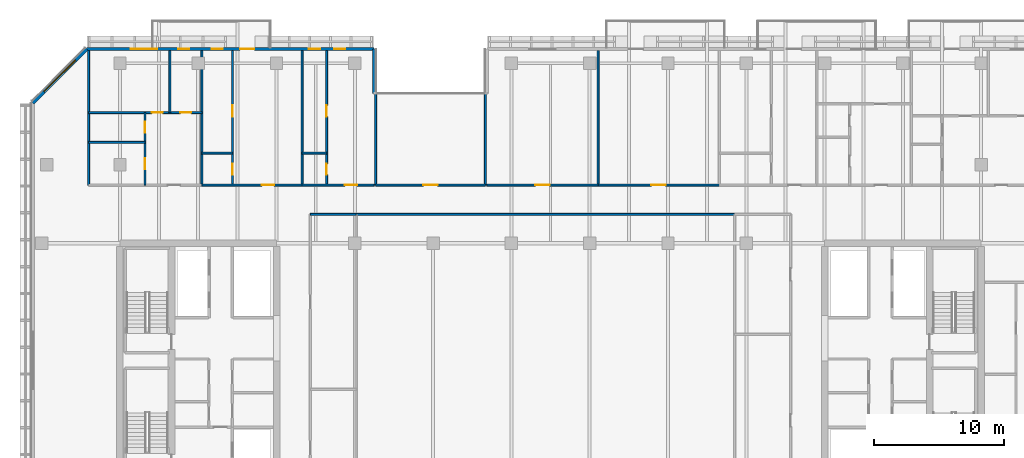
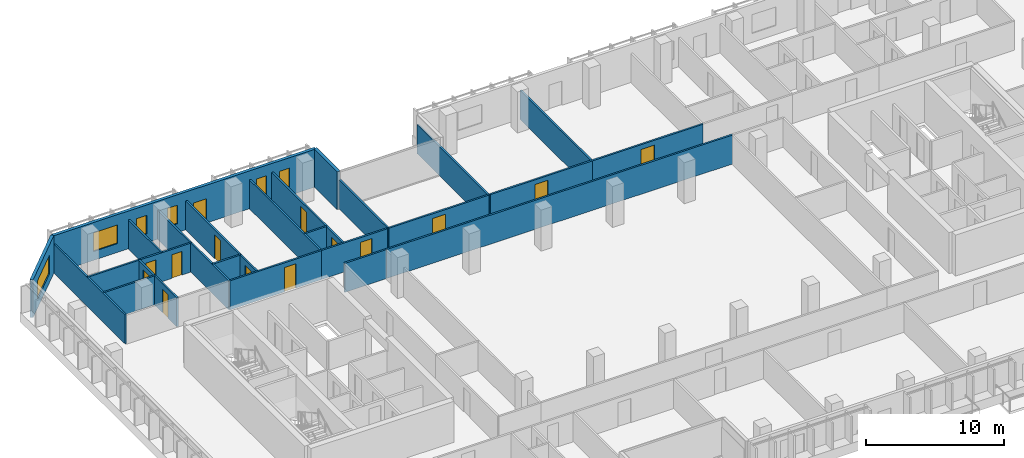
# One storey, part 13 of 23: 24 walls, 14 doors, 6 windows, 20 openings.
"""IFC4 building model written with IfcOpenShell, lengths in metres."""

from ifc_helpers import new_model, si_unit, direction, frame, frame_2d, origin, place, context, subcontext, project, spatial, rectangle, extrude, material, layer, layer_set, type_object, element, fill, save


model = new_model("IFC4")

# Units and contexts
model_context = context("Model", 3, precision=1e-05, world=origin(), true_north=direction((0.0, 1.0)))
body_context = subcontext(model_context, "Body", "Model", "MODEL_VIEW")
ifc_project = project(units=[si_unit("LENGTHUNIT", "METRE"), si_unit("AREAUNIT", "SQUARE_METRE"), si_unit("VOLUMEUNIT", "CUBIC_METRE"), si_unit("PLANEANGLEUNIT", "RADIAN"), si_unit("MASSUNIT", "GRAM", prefix="KILO")], contexts=[model_context])

# Site, building, storey
site_placement = place(None, origin())
site = spatial("IfcSite", under=ifc_project, at=site_placement, CompositionType="ELEMENT")
building_placement = place(site_placement, origin())
building = spatial("IfcBuilding", under=site, at=building_placement, Name="Tanjung Sevakor Pilgrim Tower", CompositionType="ELEMENT")
storey_placement = place(building_placement, frame((0.0, 0.0, 119.4599609375)))
storey = spatial("IfcBuildingStorey", under=building, at=storey_placement, Name="L33", CompositionType="ELEMENT", Elevation=119.4599609375)

# Walls
ifc_material_1 = material(Name="Concrete C40/50", Category="concrete")
ifc_layer_1 = layer(ifc_material_1, 0.14990234375)
ifc_layer_set_1 = layer_set([ifc_layer_1], Name="WT-COMP-150")
wall_type_1 = type_object("IfcWallType", Name="WT-COMP-150", PredefinedType="SOLIDWALL", material=ifc_layer_set_1)
wall_1_placement = place(storey_placement, frame((38.60009765625, 44.800048828125, 0.0), z_axis=(0.0, 0.0, 1.0), x_axis=(1.0, 0.0, 0.0)))
element("IfcWall", 1, at=wall_1_placement, inside=storey, type_object=wall_type_1, Name="L33 Partition IW-L33-028", PredefinedType="SOLIDWALL", context=body_context, shape_type="SweptSolid", body=[
    extrude(rectangle(XDim=3.5, YDim=0.14990234375, at=frame_2d((1.75, 0.0))), origin(), (0.0, 0.0, 1.0), 2.570068359375),
])
wall_2_placement = place(storey_placement, frame((42.10009765625, 44.800048828125, 0.0), z_axis=(0.0, 0.0, 1.0), x_axis=(1.0, 0.0, 0.0)))
element("IfcWall", 2, at=wall_2_placement, inside=storey, type_object=wall_type_1, Name="L33 Partition IW-L33-031", PredefinedType="SOLIDWALL", context=body_context, shape_type="SweptSolid", body=[
    extrude(rectangle(XDim=29.0, YDim=0.14990234375, at=frame_2d((14.5, 0.0))), origin(), (0.0, 0.0, 1.0), 2.570068359375),
])

# Wall, opening, door
wall_3_placement = place(storey_placement, frame((43.60009765625, 47.050048828125, 0.0), z_axis=(0.0, 0.0, 1.0), x_axis=(1.0, 0.0, 0.0)))
wall_3 = element("IfcWall", 3, at=wall_3_placement, inside=storey, type_object=wall_type_1, Name="L33 Partition IW-L33-050", PredefinedType="SOLIDWALL", context=body_context, shape_type="SweptSolid", body=[
    extrude(rectangle(XDim=8.39990234375, YDim=0.14990234375, at=frame_2d((4.199951171875, 0.0))), origin(), (0.0, 0.0, 1.0), 2.570068359375),
])
opening_1_placement = place(wall_3_placement, frame((3.64990234375, 0.0, 0.0)))
opening_1 = element("IfcOpeningElement", 4, at=opening_1_placement, cuts=wall_3, Name="Opening ID-RM2", PredefinedType="OPENING", context=body_context, shape_type="SweptSolid", body=[
    extrude(rectangle(XDim=1.10009765625, YDim=2.14990234375, at=frame_2d((0.550048828125, 1.074951171875))), frame((0.0, 0.0849609375, 0.0), z_axis=(0.0, -1.0, 0.0), x_axis=(1.0, 0.0, 0.0)), (0.0, 0.0, 1.0), 0.169921875),
])
ifc_material_2 = material(Name="Hardwood Timber", Category="wood")
door_type_1 = type_object("IfcDoorType", Name="DT-INT-1100", OperationType="NOTDEFINED", PredefinedType="DOOR", material=ifc_material_2)
door_1_placement = place(opening_1_placement, origin())
door_1 = element("IfcDoor", 5, at=door_1_placement, inside=storey, type_object=door_type_1, Name="L33 North Cleft Prayer Room Door", OperationType="SINGLE_SWING_LEFT", OverallHeight=2.14990234375, OverallWidth=1.10009765625, PredefinedType="DOOR", context=body_context, shape_type="SweptSolid", body=[
    extrude(rectangle(XDim=1.10009765625, YDim=2.14990234375, at=frame_2d((0.550048828125, 1.074951171875))), frame((0.0, 0.02490234375, 0.0), z_axis=(0.0, -1.0, 0.0), x_axis=(1.0, 0.0, 0.0)), (0.0, 0.0, 1.0), 0.050048828125),
])
fill(opening_1, door_1)

# Walls
for number, where, z_axis, x_axis, name in (
    (6, (43.60009765625, 47.050048828125, 0.0), (0.0, 0.0, 1.0), (0.0, 1.0, 0.0), "L33 Partition IW-L33-051"),
    (7, (52.0, 47.050048828125, 0.0), (0.0, 0.0, 1.0), (0.0, 1.0, 0.0), "L33 Partition IW-L33-052"),
    (8, (21.60009765625, 47.050048828125, 0.0), (0.0, 0.0, 1.0), (0.0, 1.0, 0.0), "L33 Partition IW-L33-073"),
    (9, (30.273193359375, 47.050048828125, 0.0), (0.0, 0.0, 1.0), (0.0, 1.0, 0.0), "L33 Partition IW-L33-074"),
    (10, (37.960693359375, 47.050048828125, 0.0), (0.0, 0.0, 1.0), (0.0, 1.0, 0.0), "L33 Partition IW-L33-080"),
):
    element("IfcWall", number, at=place(storey_placement, frame(where, z_axis=z_axis, x_axis=x_axis)), inside=storey, type_object=wall_type_1, Name=name, PredefinedType="SOLIDWALL", context=body_context, shape_type="SweptSolid", body=[
        extrude(rectangle(XDim=10.300048828125, YDim=0.14990234375, at=frame_2d((5.14990234375, 0.0))), origin(), (0.0, 0.0, 1.0), 2.570068359375),
    ])

# Wall, opening, door
wall_4_placement = place(storey_placement, frame((30.273193359375, 47.050048828125, 0.0), z_axis=(0.0, 0.0, 1.0), x_axis=(1.0, 0.0, 0.0)))
wall_4 = element("IfcWall", 11, at=wall_4_placement, inside=storey, type_object=wall_type_1, Name="L33 Partition IW-L33-083", PredefinedType="SOLIDWALL", context=body_context, shape_type="SweptSolid", body=[
    extrude(rectangle(XDim=7.6875, YDim=0.14990234375, at=frame_2d((3.84375, 0.0))), origin(), (0.0, 0.0, 1.0), 2.570068359375),
])
opening_2_placement = place(wall_4_placement, frame((4.583740234375, 0.0, 0.0)))
opening_2 = element("IfcOpeningElement", 12, at=opening_2_placement, cuts=wall_4, Name="Opening ID-FD2", PredefinedType="OPENING", context=body_context, shape_type="SweptSolid", body=[
    extrude(rectangle(XDim=0.949951171875, YDim=2.14990234375, at=frame_2d((0.47509765625, 1.074951171875))), frame((0.0, 0.0849609375, 0.0), z_axis=(0.0, -1.0, 0.0), x_axis=(1.0, 0.0, 0.0)), (0.0, 0.0, 1.0), 0.169921875),
])
ifc_material_3 = material(Name="Fire-Rated Timber", Category="wood")
door_type_2 = type_object("IfcDoorType", Name="DT-FIRE-950", OperationType="NOTDEFINED", PredefinedType="DOOR", material=ifc_material_3)
door_2_placement = place(opening_2_placement, origin())
door_2 = element("IfcDoor", 13, at=door_2_placement, inside=storey, type_object=door_type_2, Name="Hostel Quad Entrance", OperationType="SINGLE_SWING_RIGHT", OverallHeight=2.14990234375, OverallWidth=0.949951171875, PredefinedType="DOOR", context=body_context, shape_type="SweptSolid", body=[
    extrude(rectangle(XDim=0.949951171875, YDim=2.14990234375, at=frame_2d((0.47509765625, 1.074951171875))), frame((0.0, 0.02490234375, 0.0), z_axis=(0.0, -1.0, 0.0), x_axis=(1.0, 0.0, 0.0)), (0.0, 0.0, 1.0), 0.050048828125),
])
fill(opening_2, door_2)

wall_5_placement = place(storey_placement, frame((37.960693359375, 47.050048828125, 0.0), z_axis=(0.0, 0.0, 1.0), x_axis=(1.0, 0.0, 0.0)))
wall_5 = element("IfcWall", 14, at=wall_5_placement, inside=storey, type_object=wall_type_1, Name="L33 Partition IW-L33-086", PredefinedType="SOLIDWALL", context=body_context, shape_type="SweptSolid", body=[
    extrude(rectangle(XDim=5.519287109375, YDim=0.14990234375, at=frame_2d((2.759765625, 0.0))), origin(), (0.0, 0.0, 1.0), 2.570068359375),
])
opening_3_placement = place(wall_5_placement, frame((3.2626953125, 0.0, 0.0)))
opening_3 = element("IfcOpeningElement", 15, at=opening_3_placement, cuts=wall_5, Name="Opening ID-FD2", PredefinedType="OPENING", context=body_context, shape_type="SweptSolid", body=[
    extrude(rectangle(XDim=0.949951171875, YDim=2.14990234375, at=frame_2d((0.47509765625, 1.074951171875))), frame((0.0, 0.0849609375, 0.0), z_axis=(0.0, -1.0, 0.0), x_axis=(1.0, 0.0, 0.0)), (0.0, 0.0, 1.0), 0.169921875),
])
door_3_placement = place(opening_3_placement, origin())
door_3 = element("IfcDoor", 16, at=door_3_placement, inside=storey, type_object=door_type_2, Name="Hostel Quad Entrance", OperationType="SINGLE_SWING_LEFT", OverallHeight=2.14990234375, OverallWidth=0.949951171875, PredefinedType="DOOR", context=body_context, shape_type="SweptSolid", body=[
    extrude(rectangle(XDim=0.949951171875, YDim=2.14990234375, at=frame_2d((0.47509765625, 1.074951171875))), frame((0.0, 0.02490234375, 0.0), z_axis=(0.0, -1.0, 0.0), x_axis=(1.0, 0.0, 0.0)), (0.0, 0.0, 1.0), 0.050048828125),
])
fill(opening_3, door_3)

# Wall
wall_6_placement = place(storey_placement, frame((60.637939453125, 47.050048828125, 0.0), z_axis=(0.0, 0.0, 1.0), x_axis=(0.0, 1.0, 0.0)))
element("IfcWall", 17, at=wall_6_placement, inside=storey, type_object=wall_type_1, Name="L33 Partition IW-L33-088", PredefinedType="SOLIDWALL", context=body_context, shape_type="SweptSolid", body=[
    extrude(rectangle(XDim=10.300048828125, YDim=0.14990234375, at=frame_2d((5.14990234375, 0.0))), origin(), (0.0, 0.0, 1.0), 2.570068359375),
])

# Wall, opening, door
wall_7_placement = place(storey_placement, frame((52.1201171875, 47.050048828125, 0.0), z_axis=(0.0, 0.0, 1.0), x_axis=(1.0, 0.0, 0.0)))
wall_7 = element("IfcWall", 18, at=wall_7_placement, inside=storey, type_object=wall_type_1, Name="L33 Partition IW-L33-089", PredefinedType="SOLIDWALL", context=body_context, shape_type="SweptSolid", body=[
    extrude(rectangle(XDim=8.517822265625, YDim=0.14990234375, at=frame_2d((4.2587890625, 0.0))), origin(), (0.0, 0.0, 1.0), 2.570068359375),
])
opening_4_placement = place(wall_7_placement, frame((3.708984375, 0.0, 0.0)))
opening_4 = element("IfcOpeningElement", 19, at=opening_4_placement, cuts=wall_7, Name="Opening ID-FD0", PredefinedType="OPENING", context=body_context, shape_type="SweptSolid", body=[
    extrude(rectangle(XDim=1.10009765625, YDim=2.14990234375, at=frame_2d((0.550048828125, 1.074951171875))), frame((0.0, 0.0849609375, 0.0), z_axis=(0.0, -1.0, 0.0), x_axis=(1.0, 0.0, 0.0)), (0.0, 0.0, 1.0), 0.169921875),
])
ifc_material_4 = material(Name="Fire-Rated Steel S355J2", Category="steel")
door_type_3 = type_object("IfcDoorType", Name="DT-FIRE-1100", OperationType="NOTDEFINED", PredefinedType="DOOR", material=ifc_material_4)
door_4_placement = place(opening_4_placement, origin())
door_4 = element("IfcDoor", 20, at=door_4_placement, inside=storey, type_object=door_type_3, Name="Council Room Door", OperationType="SINGLE_SWING_RIGHT", OverallHeight=2.14990234375, OverallWidth=1.10009765625, PredefinedType="DOOR", context=body_context, shape_type="SweptSolid", body=[
    extrude(rectangle(XDim=1.10009765625, YDim=2.14990234375, at=frame_2d((0.550048828125, 1.074951171875))), frame((0.0, 0.02490234375, 0.0), z_axis=(0.0, -1.0, 0.0), x_axis=(1.0, 0.0, 0.0)), (0.0, 0.0, 1.0), 0.050048828125),
])
fill(opening_4, door_4)

wall_8_placement = place(storey_placement, frame((60.637939453125, 47.050048828125, 0.0), z_axis=(0.0, 0.0, 1.0), x_axis=(1.0, 0.0, 0.0)))
wall_8 = element("IfcWall", 21, at=wall_8_placement, inside=storey, type_object=wall_type_1, Name="L33 Partition IW-L33-091", PredefinedType="SOLIDWALL", context=body_context, shape_type="SweptSolid", body=[
    extrude(rectangle(XDim=9.292236328125, YDim=0.14990234375, at=frame_2d((4.64599609375, 0.0))), origin(), (0.0, 0.0, 1.0), 2.570068359375),
])
opening_5_placement = place(wall_8_placement, frame((4.09619140625, 0.0, 0.0)))
opening_5 = element("IfcOpeningElement", 22, at=opening_5_placement, cuts=wall_8, Name="Opening ID-FD0", PredefinedType="OPENING", context=body_context, shape_type="SweptSolid", body=[
    extrude(rectangle(XDim=1.10009765625, YDim=2.14990234375, at=frame_2d((0.550048828125, 1.074951171875))), frame((0.0, 0.0849609375, 0.0), z_axis=(0.0, -1.0, 0.0), x_axis=(1.0, 0.0, 0.0)), (0.0, 0.0, 1.0), 0.169921875),
])
door_5_placement = place(opening_5_placement, origin())
door_5 = element("IfcDoor", 23, at=door_5_placement, inside=storey, type_object=door_type_3, Name="Council Room Door", OperationType="SINGLE_SWING_LEFT", OverallHeight=2.14990234375, OverallWidth=1.10009765625, PredefinedType="DOOR", context=body_context, shape_type="SweptSolid", body=[
    extrude(rectangle(XDim=1.10009765625, YDim=2.14990234375, at=frame_2d((0.550048828125, 1.074951171875))), frame((0.0, 0.02490234375, 0.0), z_axis=(0.0, -1.0, 0.0), x_axis=(1.0, 0.0, 0.0)), (0.0, 0.0, 1.0), 0.050048828125),
])
fill(opening_5, door_5)

# Wall
ifc_material_5 = material(Name="Precast concrete C45/55", Category="concrete")
ifc_layer_2 = layer(ifc_material_5, 0.25)
ifc_layer_set_2 = layer_set([ifc_layer_2], Name="WT-EW-STN3")
wall_type_2 = type_object("IfcWallType", Name="WT-EW-STN3", PredefinedType="SOLIDWALL", material=ifc_layer_set_2)
wall_9_placement = place(storey_placement, frame((43.47509765625, 54.074951171875, 0.0), z_axis=(0.0, 0.0, 1.0), x_axis=(0.0, 1.0, 0.0)))
element("IfcWall", 24, at=wall_9_placement, inside=storey, type_object=wall_type_2, Name="L33 MAIN Exterior Wall 12", PredefinedType="SOLIDWALL", context=body_context, shape_type="SweptSolid", body=[
    extrude(rectangle(XDim=3.400146484375, YDim=0.25, at=frame_2d((1.7001953125, 0.0))), origin(), (0.0, 0.0, 1.0), 3.35009765625),
])

# Wall, openings, door, windows
wall_10_placement = place(storey_placement, frame((43.47509765625, 57.47509765625, 0.0), z_axis=(0.0, 0.0, 1.0), x_axis=(-1.0, 0.0, 0.0)))
wall_10 = element("IfcWall", 25, at=wall_10_placement, inside=storey, type_object=wall_type_2, Name="L33 MAIN Exterior Wall 13", PredefinedType="SOLIDWALL", context=body_context, shape_type="SweptSolid", body=[
    extrude(rectangle(XDim=22.023193359375, YDim=0.25, at=frame_2d((11.01171875, 0.0))), origin(), (0.0, 0.0, 1.0), 3.35009765625),
])
opening_6_placement = place(wall_10_placement, frame((9.175048828125, 0.0, 0.0)))
opening_6 = element("IfcOpeningElement", 26, at=opening_6_placement, cuts=wall_10, Name="Opening ED-BAL-1100", PredefinedType="OPENING", context=body_context, shape_type="SweptSolid", body=[
    extrude(rectangle(XDim=1.10009765625, YDim=2.14990234375, at=frame_2d((0.550048828125, 1.074951171875))), frame((0.0, 0.135009765625, 0.0), z_axis=(0.0, -1.0, 0.0), x_axis=(1.0, 0.0, 0.0)), (0.0, 0.0, 1.0), 0.27001953125),
])
opening_7_placement = place(wall_10_placement, frame((16.635009765625, 0.0, 0.780029296875)))
opening_7 = element("IfcOpeningElement", 27, at=opening_7_placement, cuts=wall_10, Name="Opening WN-Z2-1660", PredefinedType="OPENING", context=body_context, shape_type="SweptSolid", body=[
    extrude(rectangle(XDim=2.0, YDim=1.659912109375, at=frame_2d((1.0, 0.830078125))), frame((0.0, 0.135009765625, 0.0), z_axis=(0.0, -1.0, 0.0), x_axis=(1.0, 0.0, 0.0)), (0.0, 0.0, 1.0), 0.27001953125),
])
opening_8_placement = place(wall_10_placement, frame((14.17333984375, 0.0, 0.780029296875)))
opening_8 = element("IfcOpeningElement", 28, at=opening_8_placement, cuts=wall_10, Name="Opening WN-SLM", PredefinedType="OPENING", context=body_context, shape_type="SweptSolid", body=[
    extrude(rectangle(XDim=0.85009765625, YDim=1.64990234375, at=frame_2d((0.425048828125, 0.824951171875))), frame((0.0, 0.135009765625, 0.0), z_axis=(0.0, -1.0, 0.0), x_axis=(1.0, 0.0, 0.0)), (0.0, 0.0, 1.0), 0.27001953125),
])
opening_9_placement = place(wall_10_placement, frame((11.591796875, 0.0, 0.780029296875)))
opening_9 = element("IfcOpeningElement", 29, at=opening_9_placement, cuts=wall_10, Name="Opening WN-SLM", PredefinedType="OPENING", context=body_context, shape_type="SweptSolid", body=[
    extrude(rectangle(XDim=0.85009765625, YDim=1.64990234375, at=frame_2d((0.425048828125, 0.824951171875))), frame((0.0, 0.135009765625, 0.0), z_axis=(0.0, -1.0, 0.0), x_axis=(1.0, 0.0, 0.0)), (0.0, 0.0, 1.0), 0.27001953125),
])
opening_10_placement = place(wall_10_placement, frame((4.14111328125, 0.0, 0.780029296875)))
opening_10 = element("IfcOpeningElement", 30, at=opening_10_placement, cuts=wall_10, Name="Opening WN-SLM", PredefinedType="OPENING", context=body_context, shape_type="SweptSolid", body=[
    extrude(rectangle(XDim=0.85009765625, YDim=1.64990234375, at=frame_2d((0.425048828125, 0.824951171875))), frame((0.0, 0.135009765625, 0.0), z_axis=(0.0, -1.0, 0.0), x_axis=(1.0, 0.0, 0.0)), (0.0, 0.0, 1.0), 0.27001953125),
])
opening_11_placement = place(wall_10_placement, frame((2.201416015625, 0.0, 0.780029296875)))
opening_11 = element("IfcOpeningElement", 31, at=opening_11_placement, cuts=wall_10, Name="Opening WN-SLM", PredefinedType="OPENING", context=body_context, shape_type="SweptSolid", body=[
    extrude(rectangle(XDim=0.85009765625, YDim=1.64990234375, at=frame_2d((0.425048828125, 0.824951171875))), frame((0.0, 0.135009765625, 0.0), z_axis=(0.0, -1.0, 0.0), x_axis=(1.0, 0.0, 0.0)), (0.0, 0.0, 1.0), 0.27001953125),
])
ifc_material_6 = material(Name="Anodised Aluminium and Laminated Glass", Category="aluminium")
door_type_4 = type_object("IfcDoorType", Name="DTYP-ED-BAL-1100", OperationType="NOTDEFINED", PredefinedType="DOOR", material=ifc_material_6)
door_6_placement = place(opening_6_placement, frame((1.10009765625, 0.0, 0.0), z_axis=(0.0, 0.0, 1.0), x_axis=(-1.0, 0.0, 0.0)))
door_6 = element("IfcDoor", 32, at=door_6_placement, inside=storey, type_object=door_type_4, Name="L33 Balcony Door MAIN-N1", OperationType="SINGLE_SWING_LEFT", OverallHeight=2.14990234375, OverallWidth=1.10009765625, PredefinedType="DOOR", context=body_context, shape_type="SweptSolid", body=[
    extrude(rectangle(XDim=1.10009765625, YDim=2.14990234375, at=frame_2d((0.550048828125, 1.074951171875))), frame((0.0, 0.02490234375, 0.0), z_axis=(0.0, -1.0, 0.0), x_axis=(1.0, 0.0, 0.0)), (0.0, 0.0, 1.0), 0.050048828125),
])
fill(opening_6, door_6)
ifc_material_7 = material(Name="Thermally Broken Aluminium and Low-E Glass", Category="aluminium")
window_type_1 = type_object("IfcWindowType", Name="WTYP-WN-SLM", PartitioningType="SINGLE_PANEL", PredefinedType="WINDOW", material=ifc_material_7)
window_1_placement = place(opening_8_placement, origin())
window_1 = element("IfcWindow", 33, at=window_1_placement, inside=storey, type_object=window_type_1, Name="L33 Facade Window 02", OverallHeight=1.64990234375, OverallWidth=0.85009765625, PartitioningType="SINGLE_PANEL", PredefinedType="WINDOW", context=body_context, shape_type="SweptSolid", body=[
    extrude(rectangle(XDim=0.85009765625, YDim=1.64990234375, at=frame_2d((0.425048828125, 0.824951171875))), frame((0.0, 0.030029296875, 0.0), z_axis=(0.0, -1.0, 0.0), x_axis=(1.0, 0.0, 0.0)), (0.0, 0.0, 1.0), 0.06005859375),
])
fill(opening_8, window_1)
window_2_placement = place(opening_9_placement, origin())
window_2 = element("IfcWindow", 34, at=window_2_placement, inside=storey, type_object=window_type_1, Name="L33 Facade Window 03", OverallHeight=1.64990234375, OverallWidth=0.85009765625, PartitioningType="SINGLE_PANEL", PredefinedType="WINDOW", context=body_context, shape_type="SweptSolid", body=[
    extrude(rectangle(XDim=0.85009765625, YDim=1.64990234375, at=frame_2d((0.425048828125, 0.824951171875))), frame((0.0, 0.030029296875, 0.0), z_axis=(0.0, -1.0, 0.0), x_axis=(1.0, 0.0, 0.0)), (0.0, 0.0, 1.0), 0.06005859375),
])
fill(opening_9, window_2)
window_3_placement = place(opening_10_placement, origin())
window_3 = element("IfcWindow", 35, at=window_3_placement, inside=storey, type_object=window_type_1, Name="L33 Facade Window 04", OverallHeight=1.64990234375, OverallWidth=0.85009765625, PartitioningType="SINGLE_PANEL", PredefinedType="WINDOW", context=body_context, shape_type="SweptSolid", body=[
    extrude(rectangle(XDim=0.85009765625, YDim=1.64990234375, at=frame_2d((0.425048828125, 0.824951171875))), frame((0.0, 0.030029296875, 0.0), z_axis=(0.0, -1.0, 0.0), x_axis=(1.0, 0.0, 0.0)), (0.0, 0.0, 1.0), 0.06005859375),
])
fill(opening_10, window_3)
window_4_placement = place(opening_11_placement, origin())
window_4 = element("IfcWindow", 36, at=window_4_placement, inside=storey, type_object=window_type_1, Name="L33 Facade Window 05", OverallHeight=1.64990234375, OverallWidth=0.85009765625, PartitioningType="SINGLE_PANEL", PredefinedType="WINDOW", context=body_context, shape_type="SweptSolid", body=[
    extrude(rectangle(XDim=0.85009765625, YDim=1.64990234375, at=frame_2d((0.425048828125, 0.824951171875))), frame((0.0, 0.030029296875, 0.0), z_axis=(0.0, -1.0, 0.0), x_axis=(1.0, 0.0, 0.0)), (0.0, 0.0, 1.0), 0.06005859375),
])
fill(opening_11, window_4)
ifc_material_8 = material(Name="Thermally Broken Aluminium and Low-E Glass", Category="aluminium")
window_type_2 = type_object("IfcWindowType", Name="WTYP-WN-Z2-1660", PartitioningType="DOUBLE_PANEL_VERTICAL", PredefinedType="WINDOW", material=ifc_material_8)
window_5_placement = place(opening_7_placement, origin())
window_5 = element("IfcWindow", 37, at=window_5_placement, inside=storey, type_object=window_type_2, Name="L33 Facade Window 01", OverallHeight=1.659912109375, OverallWidth=2.0, PartitioningType="SINGLE_PANEL", PredefinedType="WINDOW", context=body_context, shape_type="SweptSolid", body=[
    extrude(rectangle(XDim=2.0, YDim=1.659912109375, at=frame_2d((1.0, 0.830078125))), frame((0.0, 0.030029296875, 0.0), z_axis=(0.0, -1.0, 0.0), x_axis=(1.0, 0.0, 0.0)), (0.0, 0.0, 1.0), 0.06005859375),
])
fill(opening_7, window_5)

# Wall, opening, window
wall_11_placement = place(storey_placement, frame((21.451904296875, 57.47509765625, 0.0), z_axis=(0.0, 0.0, 1.0), x_axis=(-0.707106781187, -0.707106781187, 0.0)))
wall_11 = element("IfcWall", 38, at=wall_11_placement, inside=storey, type_object=wall_type_2, Name="L33 MAIN Sculpted Corner Wall 13", PredefinedType="SOLIDWALL", context=body_context, shape_type="SweptSolid", body=[
    extrude(rectangle(XDim=5.83642578125, YDim=0.25, at=frame_2d((2.918212890625, 0.0))), origin(), (0.0, 0.0, 1.0), 3.35009765625),
])
opening_12_placement = place(wall_11_placement, frame((1.218017578125, 0.0, 0.780029296875)))
opening_12 = element("IfcOpeningElement", 39, at=opening_12_placement, cuts=wall_11, Name="Opening WN-CHM-1660", PredefinedType="OPENING", context=body_context, shape_type="SweptSolid", body=[
    extrude(rectangle(XDim=3.39990234375, YDim=1.659912109375, at=frame_2d((1.699951171875, 0.830078125))), frame((0.0, 0.135009765625, 0.0), z_axis=(0.0, -1.0, 0.0), x_axis=(1.0, 0.0, 0.0)), (0.0, 0.0, 1.0), 0.27001953125),
])
ifc_material_9 = material(Name="Thermally Broken Aluminium and Low-E Glass", Category="aluminium")
window_type_3 = type_object("IfcWindowType", Name="WTYP-WN-CHM-1660", PartitioningType="DOUBLE_PANEL_VERTICAL", PredefinedType="WINDOW", material=ifc_material_9)
window_6_placement = place(opening_12_placement, origin())
window_6 = element("IfcWindow", 40, at=window_6_placement, inside=storey, type_object=window_type_3, Name="L33 Facade Window 01", OverallHeight=1.659912109375, OverallWidth=3.39990234375, PartitioningType="SINGLE_PANEL", PredefinedType="WINDOW", context=body_context, shape_type="SweptSolid", body=[
    extrude(rectangle(XDim=3.39990234375, YDim=1.659912109375, at=frame_2d((1.699951171875, 0.830078125))), frame((0.0, 0.030029296875, 0.0), z_axis=(0.0, -1.0, 0.0), x_axis=(1.0, 0.0, 0.0)), (0.0, 0.0, 1.0), 0.06005859375),
])
fill(opening_12, window_6)

# Wall
ifc_material_10 = material(Name="Gypsum Board Partition", Category="gypsum board")
ifc_layer_3 = layer(ifc_material_10, 0.14990234375)
ifc_layer_set_3 = layer_set([ifc_layer_3], Name="WT-PART-150")
wall_type_3 = type_object("IfcWallType", Name="WT-PART-150", PredefinedType="PARTITIONING", material=ifc_layer_set_3)
wall_12_placement = place(storey_placement, frame((21.60009765625, 50.32861328125, 0.0), z_axis=(0.0, 0.0, 1.0), x_axis=(1.0, 0.0, 0.0)))
element("IfcWall", 41, at=wall_12_placement, inside=storey, type_object=wall_type_3, Name="L33 Partition IW-L33-075", PredefinedType="PARTITIONING", context=body_context, shape_type="SweptSolid", body=[
    extrude(rectangle(XDim=4.31982421875, YDim=0.14990234375, at=frame_2d((2.159912109375, 0.0))), origin(), (0.0, 0.0, 1.0), 2.570068359375),
])

# Wall, openings, doors
wall_13_placement = place(storey_placement, frame((25.919921875, 47.050048828125, 0.0), z_axis=(0.0, 0.0, 1.0), x_axis=(0.0, 1.0, 0.0)))
wall_13 = element("IfcWall", 42, at=wall_13_placement, inside=storey, type_object=wall_type_3, Name="L33 Partition IW-L33-076", PredefinedType="PARTITIONING", context=body_context, shape_type="SweptSolid", body=[
    extrude(rectangle(XDim=5.55712890625, YDim=0.14990234375, at=frame_2d((2.778564453125, 0.0))), origin(), (0.0, 0.0, 1.0), 2.570068359375),
])
opening_13_placement = place(wall_13_placement, frame((1.21435546875, 0.0, 0.0)))
opening_13 = element("IfcOpeningElement", 43, at=opening_13_placement, cuts=wall_13, Name="Opening ID-WC1", PredefinedType="OPENING", context=body_context, shape_type="SweptSolid", body=[
    extrude(rectangle(XDim=0.85009765625, YDim=2.10009765625, at=frame_2d((0.425048828125, 1.050048828125))), frame((0.0, 0.0849609375, 0.0), z_axis=(0.0, -1.0, 0.0), x_axis=(1.0, 0.0, 0.0)), (0.0, 0.0, 1.0), 0.169921875),
])
opening_14_placement = place(wall_13_placement, frame((3.992919921875, 0.0, 0.0)))
opening_14 = element("IfcOpeningElement", 44, at=opening_14_placement, cuts=wall_13, Name="Opening ID-WC1", PredefinedType="OPENING", context=body_context, shape_type="SweptSolid", body=[
    extrude(rectangle(XDim=0.85009765625, YDim=2.10009765625, at=frame_2d((0.425048828125, 1.050048828125))), frame((0.0, 0.0849609375, 0.0), z_axis=(0.0, -1.0, 0.0), x_axis=(1.0, 0.0, 0.0)), (0.0, 0.0, 1.0), 0.169921875),
])
ifc_material_11 = material(Name="Moisture-Resistant Timber", Category="wood")
door_type_5 = type_object("IfcDoorType", Name="DT-INT-850", OperationType="NOTDEFINED", PredefinedType="DOOR", material=ifc_material_11)
door_7_placement = place(opening_13_placement, origin())
door_7 = element("IfcDoor", 45, at=door_7_placement, inside=storey, type_object=door_type_5, Name="Suite Kitchenette Door", OperationType="SINGLE_SWING_LEFT", OverallHeight=2.10009765625, OverallWidth=0.85009765625, PredefinedType="DOOR", context=body_context, shape_type="SweptSolid", body=[
    extrude(rectangle(XDim=0.85009765625, YDim=2.10009765625, at=frame_2d((0.425048828125, 1.050048828125))), frame((0.0, 0.02490234375, 0.0), z_axis=(0.0, -1.0, 0.0), x_axis=(1.0, 0.0, 0.0)), (0.0, 0.0, 1.0), 0.050048828125),
])
fill(opening_13, door_7)
door_8_placement = place(opening_14_placement, origin())
door_8 = element("IfcDoor", 46, at=door_8_placement, inside=storey, type_object=door_type_5, Name="Suite Bathroom Door", OperationType="SINGLE_SWING_RIGHT", OverallHeight=2.10009765625, OverallWidth=0.85009765625, PredefinedType="DOOR", context=body_context, shape_type="SweptSolid", body=[
    extrude(rectangle(XDim=0.85009765625, YDim=2.10009765625, at=frame_2d((0.425048828125, 1.050048828125))), frame((0.0, 0.02490234375, 0.0), z_axis=(0.0, -1.0, 0.0), x_axis=(1.0, 0.0, 0.0)), (0.0, 0.0, 1.0), 0.050048828125),
])
fill(opening_14, door_8)

# Wall
wall_14_placement = place(storey_placement, frame((27.820068359375, 52.607177734375, 0.0), z_axis=(0.0, 0.0, 1.0), x_axis=(0.0, 1.0, 0.0)))
element("IfcWall", 47, at=wall_14_placement, inside=storey, type_object=wall_type_3, Name="L33 Partition IW-L33-077", PredefinedType="PARTITIONING", context=body_context, shape_type="SweptSolid", body=[
    extrude(rectangle(XDim=4.742919921875, YDim=0.14990234375, at=frame_2d((2.37158203125, 0.0))), origin(), (0.0, 0.0, 1.0), 2.570068359375),
])

# Wall, openings, doors
wall_15_placement = place(storey_placement, frame((21.60009765625, 52.607177734375, 0.0), z_axis=(0.0, 0.0, 1.0), x_axis=(1.0, 0.0, 0.0)))
wall_15 = element("IfcWall", 48, at=wall_15_placement, inside=storey, type_object=wall_type_3, Name="L33 Partition IW-L33-078", PredefinedType="PARTITIONING", context=body_context, shape_type="SweptSolid", body=[
    extrude(rectangle(XDim=8.673095703125, YDim=0.14990234375, at=frame_2d((4.33642578125, 0.0))), origin(), (0.0, 0.0, 1.0), 2.570068359375),
])
opening_15_placement = place(wall_15_placement, frame((4.844970703125, 0.0, 0.0)))
opening_15 = element("IfcOpeningElement", 49, at=opening_15_placement, cuts=wall_15, Name="Opening ID-WC1", PredefinedType="OPENING", context=body_context, shape_type="SweptSolid", body=[
    extrude(rectangle(XDim=0.85009765625, YDim=2.10009765625, at=frame_2d((0.425048828125, 1.050048828125))), frame((0.0, 0.0849609375, 0.0), z_axis=(0.0, -1.0, 0.0), x_axis=(1.0, 0.0, 0.0)), (0.0, 0.0, 1.0), 0.169921875),
])
opening_16_placement = place(wall_15_placement, frame((7.021484375, 0.0, 0.0)))
opening_16 = element("IfcOpeningElement", 50, at=opening_16_placement, cuts=wall_15, Name="Opening ID-WC1", PredefinedType="OPENING", context=body_context, shape_type="SweptSolid", body=[
    extrude(rectangle(XDim=0.85009765625, YDim=2.10009765625, at=frame_2d((0.425048828125, 1.050048828125))), frame((0.0, 0.0849609375, 0.0), z_axis=(0.0, -1.0, 0.0), x_axis=(1.0, 0.0, 0.0)), (0.0, 0.0, 1.0), 0.169921875),
])
door_9_placement = place(opening_15_placement, origin())
door_9 = element("IfcDoor", 51, at=door_9_placement, inside=storey, type_object=door_type_5, Name="Suite Bedroom 1 Door", OperationType="SINGLE_SWING_LEFT", OverallHeight=2.10009765625, OverallWidth=0.85009765625, PredefinedType="DOOR", context=body_context, shape_type="SweptSolid", body=[
    extrude(rectangle(XDim=0.85009765625, YDim=2.10009765625, at=frame_2d((0.425048828125, 1.050048828125))), frame((0.0, 0.02490234375, 0.0), z_axis=(0.0, -1.0, 0.0), x_axis=(1.0, 0.0, 0.0)), (0.0, 0.0, 1.0), 0.050048828125),
])
fill(opening_15, door_9)
door_10_placement = place(opening_16_placement, origin())
door_10 = element("IfcDoor", 52, at=door_10_placement, inside=storey, type_object=door_type_5, Name="Suite Bedroom 2 Door", OperationType="SINGLE_SWING_RIGHT", OverallHeight=2.10009765625, OverallWidth=0.85009765625, PredefinedType="DOOR", context=body_context, shape_type="SweptSolid", body=[
    extrude(rectangle(XDim=0.85009765625, YDim=2.10009765625, at=frame_2d((0.425048828125, 1.050048828125))), frame((0.0, 0.02490234375, 0.0), z_axis=(0.0, -1.0, 0.0), x_axis=(1.0, 0.0, 0.0)), (0.0, 0.0, 1.0), 0.050048828125),
])
fill(opening_16, door_10)

# Wall
wall_16_placement = place(storey_placement, frame((30.273193359375, 49.5, 0.0), z_axis=(0.0, 0.0, 1.0), x_axis=(1.0, 0.0, 0.0)))
element("IfcWall", 53, at=wall_16_placement, inside=storey, type_object=wall_type_3, Name="L33 Partition IW-L33-081", PredefinedType="PARTITIONING", context=body_context, shape_type="SweptSolid", body=[
    extrude(rectangle(XDim=2.35009765625, YDim=0.14990234375, at=frame_2d((1.175048828125, 0.0))), origin(), (0.0, 0.0, 1.0), 2.570068359375),
])

# Wall, openings, doors
wall_17_placement = place(storey_placement, frame((32.623291015625, 47.050048828125, 0.0), z_axis=(0.0, 0.0, 1.0), x_axis=(0.0, 1.0, 0.0)))
wall_17 = element("IfcWall", 54, at=wall_17_placement, inside=storey, type_object=wall_type_3, Name="L33 Partition IW-L33-082", PredefinedType="PARTITIONING", context=body_context, shape_type="SweptSolid", body=[
    extrude(rectangle(XDim=10.300048828125, YDim=0.14990234375, at=frame_2d((5.14990234375, 0.0))), origin(), (0.0, 0.0, 1.0), 2.570068359375),
])
opening_17_placement = place(wall_17_placement, frame((0.800048828125, 0.0, 0.0)))
opening_17 = element("IfcOpeningElement", 55, at=opening_17_placement, cuts=wall_17, Name="Opening ID-WC1", PredefinedType="OPENING", context=body_context, shape_type="SweptSolid", body=[
    extrude(rectangle(XDim=0.85009765625, YDim=2.10009765625, at=frame_2d((0.425048828125, 1.050048828125))), frame((0.0, 0.0849609375, 0.0), z_axis=(0.0, -1.0, 0.0), x_axis=(1.0, 0.0, 0.0)), (0.0, 0.0, 1.0), 0.169921875),
])
opening_18_placement = place(wall_17_placement, frame((5.25, 0.0, 0.0)))
opening_18 = element("IfcOpeningElement", 56, at=opening_18_placement, cuts=wall_17, Name="Opening ID-WC1", PredefinedType="OPENING", context=body_context, shape_type="SweptSolid", body=[
    extrude(rectangle(XDim=0.85009765625, YDim=2.10009765625, at=frame_2d((0.425048828125, 1.050048828125))), frame((0.0, 0.0849609375, 0.0), z_axis=(0.0, -1.0, 0.0), x_axis=(1.0, 0.0, 0.0)), (0.0, 0.0, 1.0), 0.169921875),
])
door_11_placement = place(opening_17_placement, origin())
door_11 = element("IfcDoor", 57, at=door_11_placement, inside=storey, type_object=door_type_5, Name="Bathroom Door", OperationType="SINGLE_SWING_RIGHT", OverallHeight=2.10009765625, OverallWidth=0.85009765625, PredefinedType="DOOR", context=body_context, shape_type="SweptSolid", body=[
    extrude(rectangle(XDim=0.85009765625, YDim=2.10009765625, at=frame_2d((0.425048828125, 1.050048828125))), frame((0.0, 0.02490234375, 0.0), z_axis=(0.0, -1.0, 0.0), x_axis=(1.0, 0.0, 0.0)), (0.0, 0.0, 1.0), 0.050048828125),
])
fill(opening_17, door_11)
door_12_placement = place(opening_18_placement, origin())
door_12 = element("IfcDoor", 58, at=door_12_placement, inside=storey, type_object=door_type_5, Name="Study Nook Door", OperationType="SINGLE_SWING_LEFT", OverallHeight=2.10009765625, OverallWidth=0.85009765625, PredefinedType="DOOR", context=body_context, shape_type="SweptSolid", body=[
    extrude(rectangle(XDim=0.85009765625, YDim=2.10009765625, at=frame_2d((0.425048828125, 1.050048828125))), frame((0.0, 0.02490234375, 0.0), z_axis=(0.0, -1.0, 0.0), x_axis=(1.0, 0.0, 0.0)), (0.0, 0.0, 1.0), 0.050048828125),
])
fill(opening_18, door_12)

# Wall
wall_18_placement = place(storey_placement, frame((37.960693359375, 49.5, 0.0), z_axis=(0.0, 0.0, 1.0), x_axis=(1.0, 0.0, 0.0)))
element("IfcWall", 59, at=wall_18_placement, inside=storey, type_object=wall_type_3, Name="L33 Partition IW-L33-084", PredefinedType="PARTITIONING", context=body_context, shape_type="SweptSolid", body=[
    extrude(rectangle(XDim=1.876708984375, YDim=0.14990234375, at=frame_2d((0.9384765625, 0.0))), origin(), (0.0, 0.0, 1.0), 2.570068359375),
])

# Wall, openings, doors
wall_19_placement = place(storey_placement, frame((39.83740234375, 47.050048828125, 0.0), z_axis=(0.0, 0.0, 1.0), x_axis=(0.0, 1.0, 0.0)))
wall_19 = element("IfcWall", 60, at=wall_19_placement, inside=storey, type_object=wall_type_3, Name="L33 Partition IW-L33-085", PredefinedType="PARTITIONING", context=body_context, shape_type="SweptSolid", body=[
    extrude(rectangle(XDim=10.300048828125, YDim=0.14990234375, at=frame_2d((5.14990234375, 0.0))), origin(), (0.0, 0.0, 1.0), 2.570068359375),
])
opening_19_placement = place(wall_19_placement, frame((0.800048828125, 0.0, 0.0)))
opening_19 = element("IfcOpeningElement", 61, at=opening_19_placement, cuts=wall_19, Name="Opening ID-WC1", PredefinedType="OPENING", context=body_context, shape_type="SweptSolid", body=[
    extrude(rectangle(XDim=0.85009765625, YDim=2.10009765625, at=frame_2d((0.425048828125, 1.050048828125))), frame((0.0, 0.0849609375, 0.0), z_axis=(0.0, -1.0, 0.0), x_axis=(1.0, 0.0, 0.0)), (0.0, 0.0, 1.0), 0.169921875),
])
opening_20_placement = place(wall_19_placement, frame((5.25, 0.0, 0.0)))
opening_20 = element("IfcOpeningElement", 62, at=opening_20_placement, cuts=wall_19, Name="Opening ID-WC1", PredefinedType="OPENING", context=body_context, shape_type="SweptSolid", body=[
    extrude(rectangle(XDim=0.85009765625, YDim=2.10009765625, at=frame_2d((0.425048828125, 1.050048828125))), frame((0.0, 0.0849609375, 0.0), z_axis=(0.0, -1.0, 0.0), x_axis=(1.0, 0.0, 0.0)), (0.0, 0.0, 1.0), 0.169921875),
])
door_13_placement = place(opening_19_placement, origin())
door_13 = element("IfcDoor", 63, at=door_13_placement, inside=storey, type_object=door_type_5, Name="Bathroom Door", OperationType="SINGLE_SWING_LEFT", OverallHeight=2.10009765625, OverallWidth=0.85009765625, PredefinedType="DOOR", context=body_context, shape_type="SweptSolid", body=[
    extrude(rectangle(XDim=0.85009765625, YDim=2.10009765625, at=frame_2d((0.425048828125, 1.050048828125))), frame((0.0, 0.02490234375, 0.0), z_axis=(0.0, -1.0, 0.0), x_axis=(1.0, 0.0, 0.0)), (0.0, 0.0, 1.0), 0.050048828125),
])
fill(opening_19, door_13)
door_14_placement = place(opening_20_placement, origin())
door_14 = element("IfcDoor", 64, at=door_14_placement, inside=storey, type_object=door_type_5, Name="Study Nook Door", OperationType="SINGLE_SWING_RIGHT", OverallHeight=2.10009765625, OverallWidth=0.85009765625, PredefinedType="DOOR", context=body_context, shape_type="SweptSolid", body=[
    extrude(rectangle(XDim=0.85009765625, YDim=2.10009765625, at=frame_2d((0.425048828125, 1.050048828125))), frame((0.0, 0.02490234375, 0.0), z_axis=(0.0, -1.0, 0.0), x_axis=(1.0, 0.0, 0.0)), (0.0, 0.0, 1.0), 0.050048828125),
])
fill(opening_20, door_14)

save(model, "model.ifc")
